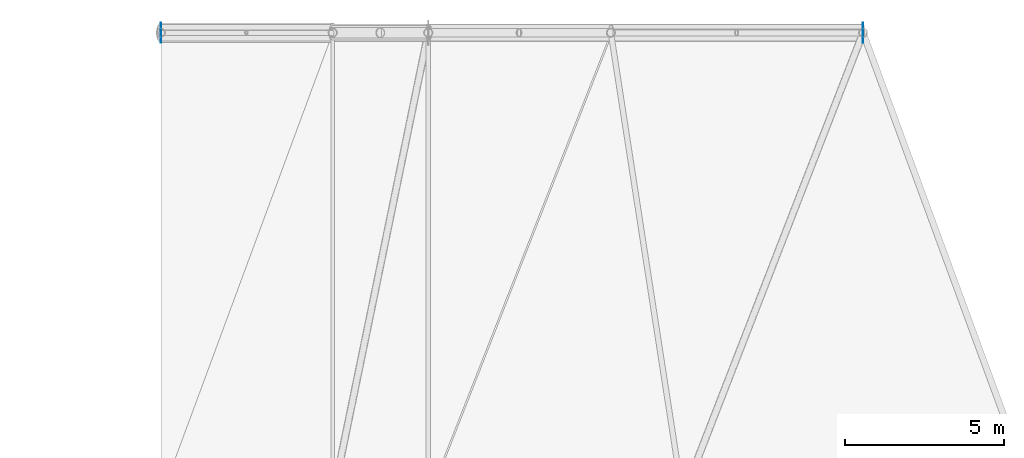
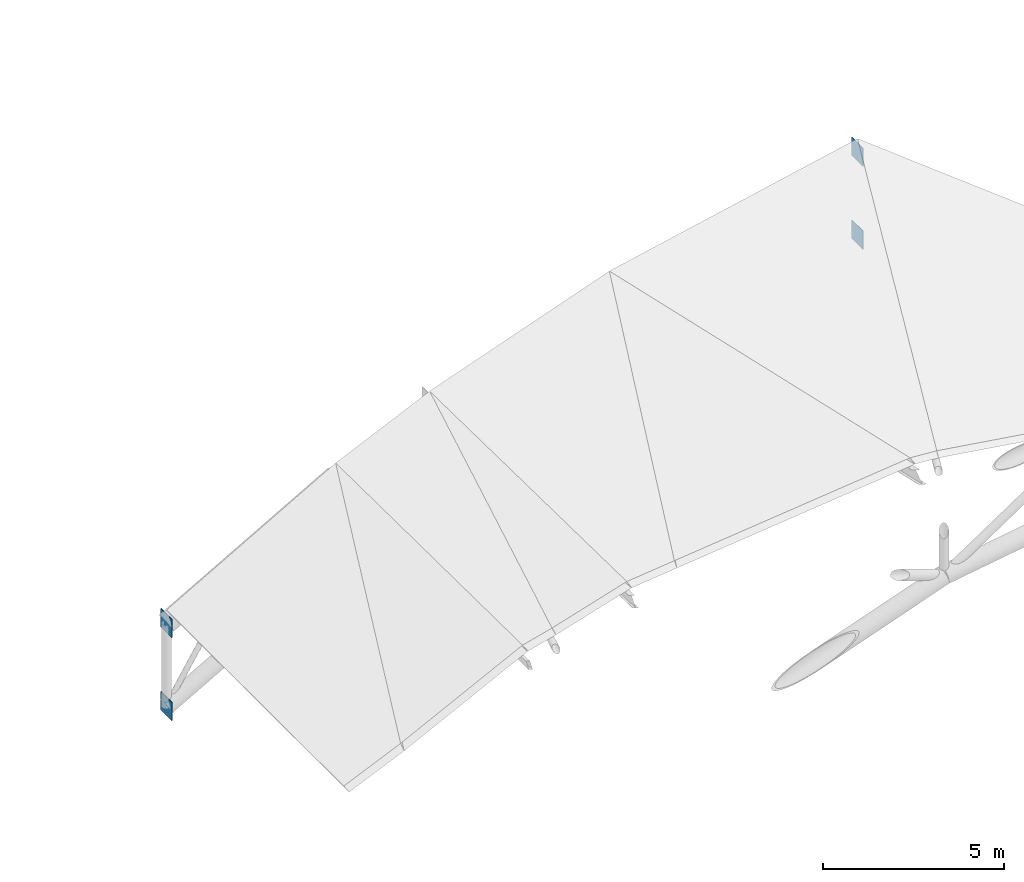
# One storey, part 32 of 36: 4 plates.
"""IFC4 building model written with IfcOpenShell, lengths in metres."""

from ifc_helpers import new_model, si_unit, direction, frame, origin, origin_2d, place, context, subcontext, project, spatial, rectangle, extrude, material, layer, layer_set, type_object, element, save


model = new_model("IFC4")

# Units and contexts
model_context = context("Model", 3, precision=1e-05, world=origin(), true_north=direction((0.0, 1.0)))
body_context = subcontext(model_context, "Body", "Model", "MODEL_VIEW")
ifc_project = project(units=[si_unit("LENGTHUNIT", "METRE"), si_unit("AREAUNIT", "SQUARE_METRE"), si_unit("VOLUMEUNIT", "CUBIC_METRE"), si_unit("PLANEANGLEUNIT", "RADIAN"), si_unit("MASSUNIT", "GRAM", prefix="KILO")], contexts=[model_context])

# Site, building, storey
site_placement = place(None, origin())
site = spatial("IfcSite", under=ifc_project, at=site_placement, CompositionType="ELEMENT")
building_placement = place(site_placement, origin())
building = spatial("IfcBuilding", under=site, at=building_placement, Name="Koshinbarg Plaza Stadium", CompositionType="ELEMENT")
storey_placement = place(building_placement, frame((0.0, 0.0, 34.199951171875)))
storey = spatial("IfcBuildingStorey", under=building, at=storey_placement, Name="RF", CompositionType="ELEMENT", Elevation=34.199951171875)

# Plates
ifc_material = material(Name="Steel S355", Category="steel")
ifc_layer = layer(ifc_material, 0.02001953125)
ifc_layer_set = layer_set([ifc_layer], Name="Steel S355")
plate_type = type_object("IfcPlateType", Name="PLT-GUS-04", PredefinedType="USERDEFINED", material=ifc_layer_set)
for number, where, z_axis, x_axis, name in (
    (1, (46.199951171875, 126.5, -2.31005859375), (0.0, 0.0, 1.0), (1.0, 0.0, 0.0), "Roof truss node cap plate KN-01 WRB-08-1T"),
    (2, (46.199951171875, 126.5, -5.110107421875), (0.0, 0.0, 1.0), (1.0, 0.0, 0.0), "Roof truss node cap plate KN-01 WRB-08-1B"),
    (3, (68.263916015625, 126.5, 5.876953125), (0.0, 0.0, 1.0), (1.0, 0.0, 0.0), "Roof truss node cap plate KN-02 WRB-08-5T"),
    (4, (68.263916015625, 126.5, 3.076904296875), (0.0, 0.0, 1.0), (1.0, 0.0, 0.0), "Roof truss node cap plate KN-02 WRB-08-5B"),
):
    element("IfcPlate", number, at=place(storey_placement, frame(where, z_axis=z_axis, x_axis=x_axis)), inside=storey, type_object=plate_type, Name=name, ObjectType="GUSSET_PLATE", PredefinedType="USERDEFINED", context=body_context, shape_type="SweptSolid", body=[
        extrude(rectangle(XDim=0.02001953125, YDim=0.6201171875, at=origin_2d()), origin(), (0.0, 0.0, 1.0), 0.6201171875),
    ])

save(model, "model.ifc")
